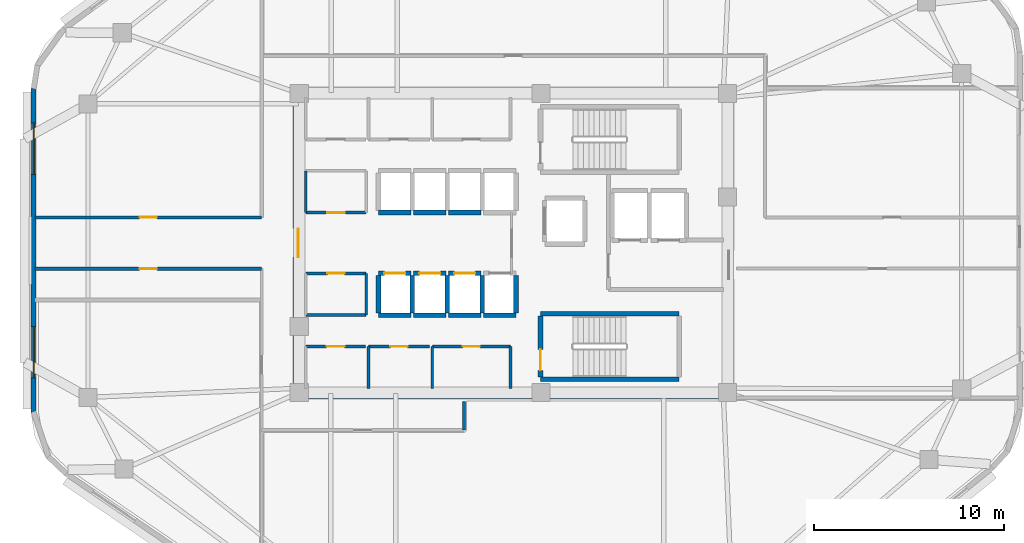
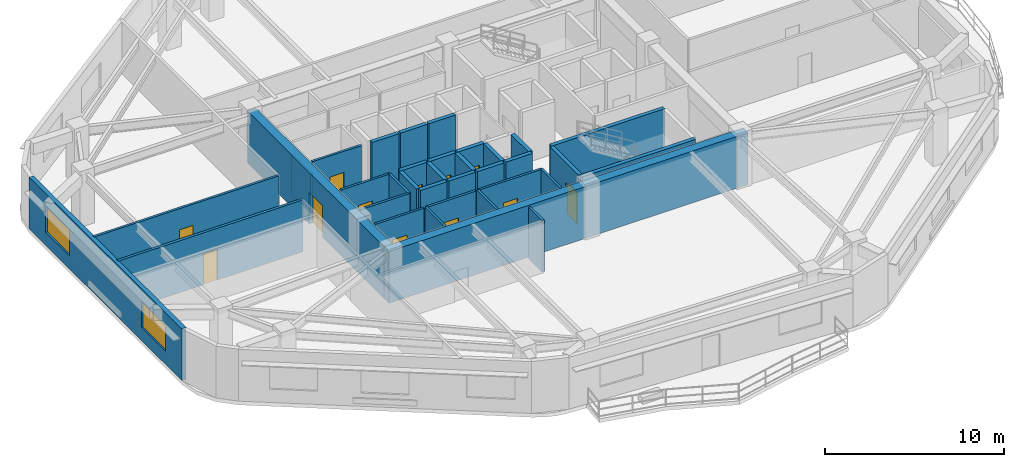
# One storey, part 3 of 8: 35 walls, 12 doors, 2 windows, 14 openings.
"""IFC4 building model written with IfcOpenShell, lengths in metres."""

from ifc_helpers import new_model, si_unit, direction, frame, frame_2d, origin, place, context, subcontext, project, spatial, rectangle, extrude, material, layer, layer_set, type_object, element, fill, save


model = new_model("IFC4")

# Units and contexts
model_context = context("Model", 3, precision=1e-05, world=origin(), true_north=direction((0.0, 1.0)))
body_context = subcontext(model_context, "Body", "Model", "MODEL_VIEW")
ifc_project = project(units=[si_unit("LENGTHUNIT", "METRE"), si_unit("AREAUNIT", "SQUARE_METRE"), si_unit("VOLUMEUNIT", "CUBIC_METRE"), si_unit("PLANEANGLEUNIT", "RADIAN"), si_unit("MASSUNIT", "GRAM", prefix="KILO")], contexts=[model_context])

# Site, building, storey
site_placement = place(None, origin())
site = spatial("IfcSite", under=ifc_project, at=site_placement, CompositionType="ELEMENT")
building_placement = place(site_placement, origin())
building = spatial("IfcBuilding", under=site, at=building_placement, Name="Zulverin Broadcast Headquarters", CompositionType="ELEMENT")
storey_placement = place(building_placement, frame((0.0, 0.0, 204.800048828125)))
storey = spatial("IfcBuildingStorey", under=building, at=storey_placement, Name="L52", CompositionType="ELEMENT", Elevation=204.800048828125)

# Wall
ifc_material_1 = material(Name="Concrete C60/75", Category="concrete")
ifc_layer_1 = layer(ifc_material_1, 0.550048828125, Name="Concrete C60/75", Category="concrete")
ifc_layer_set_1 = layer_set([ifc_layer_1], Name="Concrete C60/75")
wall_type_1 = type_object("IfcWallType", Name="WL-CORE-550", PredefinedType="SHEAR", material=ifc_layer_set_1)
wall_1_placement = place(storey_placement, frame((25.39990234375, 17.27490234375, 0.0), z_axis=(0.0, 0.0, 1.0), x_axis=(1.0, 0.0, 0.0)))
element("IfcWall", 1, at=wall_1_placement, inside=storey, type_object=wall_type_1, Name="L52 Core South Shear Wall", PredefinedType="SHEAR", context=body_context, shape_type="SweptSolid", body=[
    extrude(rectangle(XDim=23.2001953125, YDim=0.550048828125, at=frame_2d((11.60009765625, 0.0))), origin(), (0.0, 0.0, 1.0), 3.5400390625),
])

# Wall, opening, door
wall_2_placement = place(storey_placement, frame((25.675048828125, 17.550048828125, 0.0), z_axis=(0.0, 0.0, 1.0), x_axis=(0.0, 1.0, 0.0)))
wall_2 = element("IfcWall", 2, at=wall_2_placement, inside=storey, type_object=wall_type_1, Name="L52 Core West Shear Wall", PredefinedType="SHEAR", context=body_context, shape_type="SweptSolid", body=[
    extrude(rectangle(XDim=15.300048828125, YDim=0.550048828125, at=frame_2d((7.64990234375, 0.0))), origin(), (0.0, 0.0, 1.0), 3.5400390625),
])
opening_1_placement = place(wall_2_placement, frame((6.89990234375, 0.0, 0.0)))
opening_1 = element("IfcOpeningElement", 3, at=opening_1_placement, cuts=wall_2, Name="Opening D-L52-CW1", PredefinedType="OPENING", context=body_context, shape_type="SweptSolid", body=[
    extrude(rectangle(XDim=1.5, YDim=2.14990234375, at=frame_2d((0.75, 1.074951171875))), frame((0.0, 0.284912109375, 0.0), z_axis=(0.0, -1.0, 0.0), x_axis=(1.0, 0.0, 0.0)), (0.0, 0.0, 1.0), 0.570068359375),
])
ifc_material_2 = material(Name="Fire-rated glazed steel frame", Category="steel")
door_type_1 = type_object("IfcDoorType", Name="DR-COR-1500", OperationType="DOUBLE_DOOR_SINGLE_SWING", PredefinedType="DOOR", material=ifc_material_2)
door_1_placement = place(opening_1_placement, origin())
door_1 = element("IfcDoor", 4, at=door_1_placement, inside=storey, type_object=door_type_1, Name="L52 Central Lift Lobby West Portal Door", OperationType="DOUBLE_DOOR_SINGLE_SWING", OverallHeight=2.14990234375, OverallWidth=1.5, PredefinedType="DOOR", context=body_context, shape_type="SweptSolid", body=[
    extrude(rectangle(XDim=1.5, YDim=2.14990234375, at=frame_2d((0.75, 1.074951171875))), frame((0.0, 0.02490234375, 0.0), z_axis=(0.0, -1.0, 0.0), x_axis=(1.0, 0.0, 0.0)), (0.0, 0.0, 1.0), 0.050048828125),
])
fill(opening_1, door_1)

# Wall, openings, windows
ifc_material_3 = material(Name="Insulated pale-metal clad concrete spandrel C40/50", Category="concrete")
ifc_layer_2 = layer(ifc_material_3, 0.280029296875, Name="Insulated pale-metal clad concrete spandrel C40/50", Category="concrete")
ifc_layer_set_2 = layer_set([ifc_layer_2], Name="Insulated pale-metal clad concrete spandrel C40/50")
wall_type_2 = type_object("IfcWallType", Name="WL-EXT-280", PredefinedType="STANDARD", material=ifc_layer_set_2)
wall_3_placement = place(storey_placement, frame((11.739990234375, 33.34033203125, 0.0), z_axis=(0.0, 0.0, 1.0), x_axis=(0.0, -1.0, 0.0)))
wall_3 = element("IfcWall", 5, at=wall_3_placement, inside=storey, type_object=wall_type_2, Name="L52 Pale-Metal Clad Spandrel Wall 7", PredefinedType="STANDARD", context=body_context, shape_type="SweptSolid", body=[
    extrude(rectangle(XDim=17.07275390625, YDim=0.280029296875, at=frame_2d((8.536376953125, 0.0))), origin(), (0.0, 0.0, 1.0), 3.5400390625),
])
opening_2_placement = place(wall_3_placement, frame((1.828857421875, 0.0, 0.89990234375)))
opening_2 = element("IfcOpeningElement", 6, at=opening_2_placement, cuts=wall_3, Name="Opening W-L52-E71", PredefinedType="OPENING", context=body_context, shape_type="SweptSolid", body=[
    extrude(rectangle(XDim=2.699951171875, YDim=1.75, at=frame_2d((1.35009765625, 0.875))), frame((0.0, 0.14990234375, 0.0), z_axis=(0.0, -1.0, 0.0), x_axis=(1.0, 0.0, 0.0)), (0.0, 0.0, 1.0), 0.300048828125),
])
opening_3_placement = place(wall_3_placement, frame((12.5439453125, 0.0, 0.89990234375)))
opening_3 = element("IfcOpeningElement", 7, at=opening_3_placement, cuts=wall_3, Name="Opening W-L52-E72", PredefinedType="OPENING", context=body_context, shape_type="SweptSolid", body=[
    extrude(rectangle(XDim=2.699951171875, YDim=1.75, at=frame_2d((1.35009765625, 0.875))), frame((0.0, 0.14990234375, 0.0), z_axis=(0.0, -1.0, 0.0), x_axis=(1.0, 0.0, 0.0)), (0.0, 0.0, 1.0), 0.300048828125),
])
ifc_material_4 = material(Name="Pale anodized aluminium frame with solar-control low-E double glazing", Category="aluminium")
window_type = type_object("IfcWindowType", Name="WIN-TWR-2700", PartitioningType="SINGLE_PANEL", PredefinedType="WINDOW", material=ifc_material_4)
window_1_placement = place(opening_2_placement, origin())
window_1 = element("IfcWindow", 8, at=window_1_placement, inside=storey, type_object=window_type, Name="L52 Ribbon Glazing Window 7 1", OverallHeight=1.75, OverallWidth=2.699951171875, PartitioningType="SINGLE_PANEL", PredefinedType="WINDOW", context=body_context, shape_type="SweptSolid", body=[
    extrude(rectangle(XDim=2.699951171875, YDim=1.75, at=frame_2d((1.35009765625, 0.875))), frame((0.0, 0.030029296875, 0.0), z_axis=(0.0, -1.0, 0.0), x_axis=(1.0, 0.0, 0.0)), (0.0, 0.0, 1.0), 0.06005859375),
])
fill(opening_2, window_1)
window_2_placement = place(opening_3_placement, origin())
window_2 = element("IfcWindow", 9, at=window_2_placement, inside=storey, type_object=window_type, Name="L52 Ribbon Glazing Window 7 2", OverallHeight=1.75, OverallWidth=2.699951171875, PartitioningType="SINGLE_PANEL", PredefinedType="WINDOW", context=body_context, shape_type="SweptSolid", body=[
    extrude(rectangle(XDim=2.699951171875, YDim=1.75, at=frame_2d((1.35009765625, 0.875))), frame((0.0, 0.030029296875, 0.0), z_axis=(0.0, -1.0, 0.0), x_axis=(1.0, 0.0, 0.0)), (0.0, 0.0, 1.0), 0.06005859375),
])
fill(opening_3, window_2)

# Wall, opening, door
ifc_material_5 = material(Name="Fire-rated gypsum stud partition", Category="gypsum")
ifc_layer_3 = layer(ifc_material_5, 0.14990234375, Name="Fire-rated gypsum stud partition", Category="gypsum")
ifc_layer_set_3 = layer_set([ifc_layer_3], Name="Fire-rated gypsum stud partition")
wall_type_3 = type_object("IfcWallType", Name="WL-PART-150", PredefinedType="PARTITIONING", material=ifc_layer_set_3)
wall_4_placement = place(storey_placement, frame((26.070068359375, 19.75, 0.0), z_axis=(0.0, 0.0, 1.0), x_axis=(1.0, 0.0, 0.0)))
wall_4 = element("IfcWall", 10, at=wall_4_placement, inside=storey, type_object=wall_type_3, Name="L52 Core Female WC Front Wall", PredefinedType="PARTITIONING", context=body_context, shape_type="SweptSolid", body=[
    extrude(rectangle(XDim=3.14990234375, YDim=0.14990234375, at=frame_2d((1.574951171875, 0.0))), origin(), (0.0, 0.0, 1.0), 3.5400390625),
])
opening_4_placement = place(wall_4_placement, frame((1.10009765625, 0.0, 0.0)))
opening_4 = element("IfcOpeningElement", 11, at=opening_4_placement, cuts=wall_4, Name="Opening D-L52-SC1", PredefinedType="OPENING", context=body_context, shape_type="SweptSolid", body=[
    extrude(rectangle(XDim=0.949951171875, YDim=2.10009765625, at=frame_2d((0.47509765625, 1.050048828125))), frame((0.0, 0.0849609375, 0.0), z_axis=(0.0, -1.0, 0.0), x_axis=(1.0, 0.0, 0.0)), (0.0, 0.0, 1.0), 0.169921875),
])
ifc_material_6 = material(Name="Fire-rated moisture-resistant laminate leaf", Category="wood")
door_type_2 = type_object("IfcDoorType", Name="DR-WC-950", OperationType="SINGLE_SWING_LEFT", PredefinedType="DOOR", material=ifc_material_6)
door_2_placement = place(opening_4_placement, origin())
door_2 = element("IfcDoor", 12, at=door_2_placement, inside=storey, type_object=door_type_2, Name="L52 Female WC Door", OperationType="SINGLE_SWING_RIGHT", OverallHeight=2.10009765625, OverallWidth=0.949951171875, PredefinedType="DOOR", context=body_context, shape_type="SweptSolid", body=[
    extrude(rectangle(XDim=0.949951171875, YDim=2.10009765625, at=frame_2d((0.47509765625, 1.050048828125))), frame((0.0, 0.02490234375, 0.0), z_axis=(0.0, -1.0, 0.0), x_axis=(1.0, 0.0, 0.0)), (0.0, 0.0, 1.0), 0.050048828125),
])
fill(opening_4, door_2)

wall_5_placement = place(storey_placement, frame((29.3798828125, 19.75, 0.0), z_axis=(0.0, 0.0, 1.0), x_axis=(1.0, 0.0, 0.0)))
wall_5 = element("IfcWall", 13, at=wall_5_placement, inside=storey, type_object=wall_type_3, Name="L52 Core Cleaner Store Front Wall", PredefinedType="PARTITIONING", context=body_context, shape_type="SweptSolid", body=[
    extrude(rectangle(XDim=3.190185546875, YDim=0.14990234375, at=frame_2d((1.59521484375, 0.0))), origin(), (0.0, 0.0, 1.0), 3.5400390625),
])
opening_5_placement = place(wall_5_placement, frame((1.14501953125, 0.0, 0.0)))
opening_5 = element("IfcOpeningElement", 14, at=opening_5_placement, cuts=wall_5, Name="Opening D-L52-SC2", PredefinedType="OPENING", context=body_context, shape_type="SweptSolid", body=[
    extrude(rectangle(XDim=0.89990234375, YDim=2.10009765625, at=frame_2d((0.449951171875, 1.050048828125))), frame((0.0, 0.0849609375, 0.0), z_axis=(0.0, -1.0, 0.0), x_axis=(1.0, 0.0, 0.0)), (0.0, 0.0, 1.0), 0.169921875),
])
ifc_material_7 = material(Name="Powder-coated steel access leaf", Category="steel")
door_type_3 = type_object("IfcDoorType", Name="DR-RISER-900", OperationType="SINGLE_SWING_LEFT", PredefinedType="DOOR", material=ifc_material_7)
door_3_placement = place(opening_5_placement, origin())
door_3 = element("IfcDoor", 15, at=door_3_placement, inside=storey, type_object=door_type_3, Name="L52 Cleaner Store Door", OperationType="SINGLE_SWING_LEFT", OverallHeight=2.10009765625, OverallWidth=0.89990234375, PredefinedType="DOOR", context=body_context, shape_type="SweptSolid", body=[
    extrude(rectangle(XDim=0.89990234375, YDim=2.10009765625, at=frame_2d((0.449951171875, 1.050048828125))), frame((0.0, 0.02490234375, 0.0), z_axis=(0.0, -1.0, 0.0), x_axis=(1.0, 0.0, 0.0)), (0.0, 0.0, 1.0), 0.050048828125),
])
fill(opening_5, door_3)

# Wall
wall_6_placement = place(storey_placement, frame((29.3798828125, 17.550048828125, 0.0), z_axis=(0.0, 0.0, 1.0), x_axis=(0.0, 1.0, 0.0)))
element("IfcWall", 16, at=wall_6_placement, inside=storey, type_object=wall_type_3, Name="L52 Core Cleaner Store West Wall", PredefinedType="PARTITIONING", context=body_context, shape_type="SweptSolid", body=[
    extrude(rectangle(XDim=2.199951171875, YDim=0.14990234375, at=frame_2d((1.10009765625, 0.0))), origin(), (0.0, 0.0, 1.0), 3.5400390625),
])

# Wall, opening, door
wall_7_placement = place(storey_placement, frame((32.72998046875, 19.75, 0.0), z_axis=(0.0, 0.0, 1.0), x_axis=(1.0, 0.0, 0.0)))
wall_7 = element("IfcWall", 17, at=wall_7_placement, inside=storey, type_object=wall_type_3, Name="L52 Core Broadcast Fibre Riser Front Wall", PredefinedType="PARTITIONING", context=body_context, shape_type="SweptSolid", body=[
    extrude(rectangle(XDim=4.1201171875, YDim=0.14990234375, at=frame_2d((2.06005859375, 0.0))), origin(), (0.0, 0.0, 1.0), 3.5400390625),
])
opening_6_placement = place(wall_7_placement, frame((1.610107421875, 0.0, 0.0)))
opening_6 = element("IfcOpeningElement", 18, at=opening_6_placement, cuts=wall_7, Name="Opening D-L52-SC3", PredefinedType="OPENING", context=body_context, shape_type="SweptSolid", body=[
    extrude(rectangle(XDim=0.89990234375, YDim=2.10009765625, at=frame_2d((0.449951171875, 1.050048828125))), frame((0.0, 0.0849609375, 0.0), z_axis=(0.0, -1.0, 0.0), x_axis=(1.0, 0.0, 0.0)), (0.0, 0.0, 1.0), 0.169921875),
])
door_4_placement = place(opening_6_placement, origin())
door_4 = element("IfcDoor", 19, at=door_4_placement, inside=storey, type_object=door_type_3, Name="L52 Broadcast Fibre Riser Door", OperationType="SINGLE_SWING_RIGHT", OverallHeight=2.10009765625, OverallWidth=0.89990234375, PredefinedType="DOOR", context=body_context, shape_type="SweptSolid", body=[
    extrude(rectangle(XDim=0.89990234375, YDim=2.10009765625, at=frame_2d((0.449951171875, 1.050048828125))), frame((0.0, 0.02490234375, 0.0), z_axis=(0.0, -1.0, 0.0), x_axis=(1.0, 0.0, 0.0)), (0.0, 0.0, 1.0), 0.050048828125),
])
fill(opening_6, door_4)

# Walls
for number, where, z_axis, x_axis, name in (
    (20, (32.72998046875, 17.550048828125, 0.0), (0.0, 0.0, 1.0), (0.0, 1.0, 0.0), "L52 Core Broadcast Fibre Riser West Wall"),
    (21, (36.85009765625, 17.550048828125, 0.0), (0.0, 0.0, 1.0), (0.0, 1.0, 0.0), "L52 Core Broadcast Fibre Riser East Wall"),
):
    element("IfcWall", number, at=place(storey_placement, frame(where, z_axis=z_axis, x_axis=x_axis)), inside=storey, type_object=wall_type_3, Name=name, PredefinedType="PARTITIONING", context=body_context, shape_type="SweptSolid", body=[
        extrude(rectangle(XDim=2.199951171875, YDim=0.14990234375, at=frame_2d((1.10009765625, 0.0))), origin(), (0.0, 0.0, 1.0), 3.5400390625),
    ])

# Wall, opening, door
wall_8_placement = place(storey_placement, frame((26.070068359375, 26.800048828125, 0.0), z_axis=(0.0, 0.0, 1.0), x_axis=(1.0, 0.0, 0.0)))
wall_8 = element("IfcWall", 22, at=wall_8_placement, inside=storey, type_object=wall_type_3, Name="L52 Core UPS Battery Store S Wall", PredefinedType="PARTITIONING", context=body_context, shape_type="SweptSolid", body=[
    extrude(rectangle(XDim=3.179931640625, YDim=0.14990234375, at=frame_2d((1.58984375, 0.0))), origin(), (0.0, 0.0, 1.0), 3.5400390625),
])
opening_7_placement = place(wall_8_placement, frame((1.139892578125, 0.0, 0.0)))
opening_7 = element("IfcOpeningElement", 23, at=opening_7_placement, cuts=wall_8, Name="Opening D-L52-RCLN", PredefinedType="OPENING", context=body_context, shape_type="SweptSolid", body=[
    extrude(rectangle(XDim=0.89990234375, YDim=2.10009765625, at=frame_2d((0.449951171875, 1.050048828125))), frame((0.0, 0.0849609375, 0.0), z_axis=(0.0, -1.0, 0.0), x_axis=(1.0, 0.0, 0.0)), (0.0, 0.0, 1.0), 0.169921875),
])
door_5_placement = place(opening_7_placement, origin())
door_5 = element("IfcDoor", 24, at=door_5_placement, inside=storey, type_object=door_type_3, Name="L52 Core UPS Battery Store Door", OperationType="SINGLE_SWING_LEFT", OverallHeight=2.10009765625, OverallWidth=0.89990234375, PredefinedType="DOOR", context=body_context, shape_type="SweptSolid", body=[
    extrude(rectangle(XDim=0.89990234375, YDim=2.10009765625, at=frame_2d((0.449951171875, 1.050048828125))), frame((0.0, 0.02490234375, 0.0), z_axis=(0.0, -1.0, 0.0), x_axis=(1.0, 0.0, 0.0)), (0.0, 0.0, 1.0), 0.050048828125),
])
fill(opening_7, door_5)

# Walls
wall_9_placement = place(storey_placement, frame((26.070068359375, 26.800048828125, 0.0), z_axis=(0.0, 0.0, 1.0), x_axis=(0.0, 1.0, 0.0)))
element("IfcWall", 25, at=wall_9_placement, inside=storey, type_object=wall_type_3, Name="L52 Core UPS Battery Store W Wall", PredefinedType="PARTITIONING", context=body_context, shape_type="SweptSolid", body=[
    extrude(rectangle(XDim=2.199951171875, YDim=0.14990234375, at=frame_2d((1.10009765625, 0.0))), origin(), (0.0, 0.0, 1.0), 2.639892578125),
])
wall_10_placement = place(storey_placement, frame((26.070068359375, 21.39990234375, 0.0), z_axis=(0.0, 0.0, 1.0), x_axis=(1.0, 0.0, 0.0)))
element("IfcWall", 26, at=wall_10_placement, inside=storey, type_object=wall_type_3, Name="L52 Housekeeping Equipment Store S Wall", PredefinedType="PARTITIONING", context=body_context, shape_type="SweptSolid", body=[
    extrude(rectangle(XDim=3.179931640625, YDim=0.14990234375, at=frame_2d((1.58984375, 0.0))), origin(), (0.0, 0.0, 1.0), 3.5400390625),
])

# Wall, opening, door
wall_11_placement = place(storey_placement, frame((26.070068359375, 23.60009765625, 0.0), z_axis=(0.0, 0.0, 1.0), x_axis=(1.0, 0.0, 0.0)))
wall_11 = element("IfcWall", 27, at=wall_11_placement, inside=storey, type_object=wall_type_3, Name="L52 Housekeeping Equipment Store N Wall", PredefinedType="PARTITIONING", context=body_context, shape_type="SweptSolid", body=[
    extrude(rectangle(XDim=3.179931640625, YDim=0.14990234375, at=frame_2d((1.58984375, 0.0))), origin(), (0.0, 0.0, 1.0), 3.5400390625),
])
opening_8_placement = place(wall_11_placement, frame((1.139892578125, 0.0, 0.0)))
opening_8 = element("IfcOpeningElement", 28, at=opening_8_placement, cuts=wall_11, Name="Opening D-L52-RCLS", PredefinedType="OPENING", context=body_context, shape_type="SweptSolid", body=[
    extrude(rectangle(XDim=0.89990234375, YDim=2.10009765625, at=frame_2d((0.449951171875, 1.050048828125))), frame((0.0, 0.0849609375, 0.0), z_axis=(0.0, -1.0, 0.0), x_axis=(1.0, 0.0, 0.0)), (0.0, 0.0, 1.0), 0.169921875),
])
door_6_placement = place(opening_8_placement, origin())
door_6 = element("IfcDoor", 29, at=door_6_placement, inside=storey, type_object=door_type_3, Name="L52 Housekeeping Equipment Store Door", OperationType="SINGLE_SWING_RIGHT", OverallHeight=2.10009765625, OverallWidth=0.89990234375, PredefinedType="DOOR", context=body_context, shape_type="SweptSolid", body=[
    extrude(rectangle(XDim=0.89990234375, YDim=2.10009765625, at=frame_2d((0.449951171875, 1.050048828125))), frame((0.0, 0.02490234375, 0.0), z_axis=(0.0, -1.0, 0.0), x_axis=(1.0, 0.0, 0.0)), (0.0, 0.0, 1.0), 0.050048828125),
])
fill(opening_8, door_6)

# Walls
wall_12_placement = place(storey_placement, frame((29.25, 21.39990234375, 0.0), z_axis=(0.0, 0.0, 1.0), x_axis=(0.0, 1.0, 0.0)))
element("IfcWall", 30, at=wall_12_placement, inside=storey, type_object=wall_type_3, Name="L52 Housekeeping Equipment Store E Wall", PredefinedType="PARTITIONING", context=body_context, shape_type="SweptSolid", body=[
    extrude(rectangle(XDim=2.2001953125, YDim=0.14990234375, at=frame_2d((1.10009765625, 0.0))), origin(), (0.0, 0.0, 1.0), 3.5400390625),
])
wall_13_placement = place(storey_placement, frame((34.39990234375, 15.35009765625, 0.0), z_axis=(0.0, 0.0, 1.0), x_axis=(0.0, 1.0, 0.0)))
element("IfcWall", 31, at=wall_13_placement, inside=storey, type_object=wall_type_3, Name="L52 Gallery Partition Wall CG-02", PredefinedType="PARTITIONING", context=body_context, shape_type="SweptSolid", body=[
    extrude(rectangle(XDim=1.510009765625, YDim=0.14990234375, at=frame_2d((0.7548828125, 0.0))), origin(), (0.0, 0.0, 1.0), 3.5400390625),
])

# Wall, opening, door
wall_14_placement = place(storey_placement, frame((11.804931640625, 26.550048828125, 0.0), z_axis=(0.0, 0.0, 1.0), x_axis=(1.0, 0.0, 0.0)))
wall_14 = element("IfcWall", 32, at=wall_14_placement, inside=storey, type_object=wall_type_3, Name="L52 Gallery Partition Wall CG-10", PredefinedType="PARTITIONING", context=body_context, shape_type="SweptSolid", body=[
    extrude(rectangle(XDim=11.945068359375, YDim=0.14990234375, at=frame_2d((5.97265625, 0.0))), origin(), (0.0, 0.0, 1.0), 3.5400390625),
])
opening_9_placement = place(wall_14_placement, frame((5.5224609375, 0.0, 0.0)))
opening_9 = element("IfcOpeningElement", 33, at=opening_9_placement, cuts=wall_14, Name="Opening D-L52-05", PredefinedType="OPENING", context=body_context, shape_type="SweptSolid", body=[
    extrude(rectangle(XDim=0.89990234375, YDim=2.10009765625, at=frame_2d((0.449951171875, 1.050048828125))), frame((0.0, 0.0849609375, 0.0), z_axis=(0.0, -1.0, 0.0), x_axis=(1.0, 0.0, 0.0)), (0.0, 0.0, 1.0), 0.169921875),
])
ifc_material_8 = material(Name="Fire-rated hardwood veneer timber leaf", Category="wood")
door_type_4 = type_object("IfcDoorType", Name="DR-ROOM-900", OperationType="SINGLE_SWING_RIGHT", PredefinedType="DOOR", material=ifc_material_8)
door_7_placement = place(opening_9_placement, origin())
door_7 = element("IfcDoor", 34, at=door_7_placement, inside=storey, type_object=door_type_4, Name="L52 24-Hour Broadcast Dining Canteen Door", OperationType="SINGLE_SWING_RIGHT", OverallHeight=2.10009765625, OverallWidth=0.89990234375, PredefinedType="DOOR", context=body_context, shape_type="SweptSolid", body=[
    extrude(rectangle(XDim=0.89990234375, YDim=2.10009765625, at=frame_2d((0.449951171875, 1.050048828125))), frame((0.0, 0.02490234375, 0.0), z_axis=(0.0, -1.0, 0.0), x_axis=(1.0, 0.0, 0.0)), (0.0, 0.0, 1.0), 0.050048828125),
])
fill(opening_9, door_7)

ifc_material_9 = material(Name="Fire-rated acoustic stud wall", Category="gypsum")
ifc_layer_4 = layer(ifc_material_9, 0.175048828125, Name="Fire-rated acoustic stud wall", Category="gypsum")
ifc_layer_set_4 = layer_set([ifc_layer_4], Name="Fire-rated acoustic stud wall")
wall_type_4 = type_object("IfcWallType", Name="WL-PART-175", PredefinedType="PARTITIONING", material=ifc_layer_set_4)
wall_15_placement = place(storey_placement, frame((11.804931640625, 23.85009765625, 0.0), z_axis=(0.0, 0.0, 1.0), x_axis=(1.0, 0.0, 0.0)))
wall_15 = element("IfcWall", 35, at=wall_15_placement, inside=storey, type_object=wall_type_4, Name="L52 Gallery Partition Wall CG-08", PredefinedType="PARTITIONING", context=body_context, shape_type="SweptSolid", body=[
    extrude(rectangle(XDim=11.945068359375, YDim=0.175048828125, at=frame_2d((5.97265625, 0.0))), origin(), (0.0, 0.0, 1.0), 3.5400390625),
])
opening_10_placement = place(wall_15_placement, frame((5.5224609375, 0.0, 0.0)))
opening_10 = element("IfcOpeningElement", 36, at=opening_10_placement, cuts=wall_15, Name="Opening D-L52-04", PredefinedType="OPENING", context=body_context, shape_type="SweptSolid", body=[
    extrude(rectangle(XDim=0.89990234375, YDim=2.10009765625, at=frame_2d((0.449951171875, 1.050048828125))), frame((0.0, 0.097412109375, 0.0), z_axis=(0.0, -1.0, 0.0), x_axis=(1.0, 0.0, 0.0)), (0.0, 0.0, 1.0), 0.195068359375),
])
door_8_placement = place(opening_10_placement, origin())
door_8 = element("IfcDoor", 37, at=door_8_placement, inside=storey, type_object=door_type_4, Name="L52 Media Heritage Exhibition Hall Door", OperationType="SINGLE_SWING_LEFT", OverallHeight=2.10009765625, OverallWidth=0.89990234375, PredefinedType="DOOR", context=body_context, shape_type="SweptSolid", body=[
    extrude(rectangle(XDim=0.89990234375, YDim=2.10009765625, at=frame_2d((0.449951171875, 1.050048828125))), frame((0.0, 0.02490234375, 0.0), z_axis=(0.0, -1.0, 0.0), x_axis=(1.0, 0.0, 0.0)), (0.0, 0.0, 1.0), 0.050048828125),
])
fill(opening_10, door_8)

# Walls
ifc_material_10 = material(Name="Concrete C50/60", Category="concrete")
ifc_layer_5 = layer(ifc_material_10, 0.25, Name="Concrete C50/60", Category="concrete")
ifc_layer_set_5 = layer_set([ifc_layer_5], Name="Concrete C50/60")
wall_type_5 = type_object("IfcWallType", Name="WL-SHAFT-250", PredefinedType="SHEAR", material=ifc_layer_set_5)
for number, where, z_axis, x_axis, name in (
    (38, (38.425048828125, 18.02490234375, 0.0), (0.0, 0.0, 1.0), (1.0, 0.0, 0.0), "L52 ST-2 Enclosure Wall S"),
    (39, (38.425048828125, 21.47509765625, 0.0), (0.0, 0.0, 1.0), (1.0, 0.0, 0.0), "L52 ST-2 Enclosure Wall N"),
):
    element("IfcWall", number, at=place(storey_placement, frame(where, z_axis=z_axis, x_axis=x_axis)), inside=storey, type_object=wall_type_5, Name=name, PredefinedType="SHEAR", context=body_context, shape_type="SweptSolid", body=[
        extrude(rectangle(XDim=7.300048828125, YDim=0.25, at=frame_2d((3.64990234375, 0.0))), origin(), (0.0, 0.0, 1.0), 3.5400390625),
    ])

# Wall, opening, door
wall_16_placement = place(storey_placement, frame((38.425048828125, 18.14990234375, 0.0), z_axis=(0.0, 0.0, 1.0), x_axis=(0.0, 1.0, 0.0)))
wall_16 = element("IfcWall", 40, at=wall_16_placement, inside=storey, type_object=wall_type_5, Name="L52 ST-2 Enclosure Wall W", PredefinedType="SHEAR", context=body_context, shape_type="SweptSolid", body=[
    extrude(rectangle(XDim=3.2001953125, YDim=0.25, at=frame_2d((1.60009765625, 0.0))), origin(), (0.0, 0.0, 1.0), 3.5400390625),
])
opening_11_placement = place(wall_16_placement, frame((0.35009765625, 0.0, 0.0)))
opening_11 = element("IfcOpeningElement", 41, at=opening_11_placement, cuts=wall_16, Name="Opening D-L52-ST-2", PredefinedType="OPENING", context=body_context, shape_type="SweptSolid", body=[
    extrude(rectangle(XDim=1.10009765625, YDim=2.14990234375, at=frame_2d((0.550048828125, 1.074951171875))), frame((0.0, 0.135009765625, 0.0), z_axis=(0.0, -1.0, 0.0), x_axis=(1.0, 0.0, 0.0)), (0.0, 0.0, 1.0), 0.27001953125),
])
ifc_material_11 = material(Name="Fire-rated steel leaf and frame", Category="steel")
door_type_5 = type_object("IfcDoorType", Name="DR-STAIR-1100", OperationType="SINGLE_SWING_LEFT", PredefinedType="DOOR", material=ifc_material_11)
door_9_placement = place(opening_11_placement, origin())
door_9 = element("IfcDoor", 42, at=door_9_placement, inside=storey, type_object=door_type_5, Name="L52 Exit Stair ST-2 Fire Door", OperationType="SINGLE_SWING_RIGHT", OverallHeight=2.14990234375, OverallWidth=1.10009765625, PredefinedType="DOOR", context=body_context, shape_type="SweptSolid", body=[
    extrude(rectangle(XDim=1.10009765625, YDim=2.14990234375, at=frame_2d((0.550048828125, 1.074951171875))), frame((0.0, 0.02490234375, 0.0), z_axis=(0.0, -1.0, 0.0), x_axis=(1.0, 0.0, 0.0)), (0.0, 0.0, 1.0), 0.050048828125),
])
fill(opening_11, door_9)

# Wall
wall_17_placement = place(storey_placement, frame((29.89990234375, 21.39990234375, 0.0), z_axis=(0.0, 0.0, 1.0), x_axis=(1.0, 0.0, 0.0)))
element("IfcWall", 43, at=wall_17_placement, inside=storey, type_object=wall_type_5, Name="L52 Lift PL-M1 Shaft Wall S", PredefinedType="SHEAR", context=body_context, shape_type="SweptSolid", body=[
    extrude(rectangle(XDim=1.72021484375, YDim=0.25, at=frame_2d((0.860107421875, 0.0))), origin(), (0.0, 0.0, 1.0), 3.5400390625),
])

# Wall, opening, door
wall_18_placement = place(storey_placement, frame((29.89990234375, 23.60009765625, 0.0), z_axis=(0.0, 0.0, 1.0), x_axis=(1.0, 0.0, 0.0)))
wall_18 = element("IfcWall", 44, at=wall_18_placement, inside=storey, type_object=wall_type_5, Name="L52 Lift PL-M1 Shaft Wall N", PredefinedType="SHEAR", context=body_context, shape_type="SweptSolid", body=[
    extrude(rectangle(XDim=1.72021484375, YDim=0.25, at=frame_2d((0.860107421875, 0.0))), origin(), (0.0, 0.0, 1.0), 3.5400390625),
])
opening_12_placement = place(wall_18_placement, frame((0.31005859375, 0.0, 0.0)))
opening_12 = element("IfcOpeningElement", 45, at=opening_12_placement, cuts=wall_18, Name="Opening LD-PL-M1-L52", PredefinedType="OPENING", context=body_context, shape_type="SweptSolid", body=[
    extrude(rectangle(XDim=1.10009765625, YDim=2.14990234375, at=frame_2d((0.550048828125, 1.074951171875))), frame((0.0, 0.135009765625, 0.0), z_axis=(0.0, -1.0, 0.0), x_axis=(1.0, 0.0, 0.0)), (0.0, 0.0, 1.0), 0.27001953125),
])
ifc_material_12 = material(Name="Brushed stainless steel landing", Category="steel")
door_type_6 = type_object("IfcDoorType", Name="LD-PASS-1100", OperationType="DOUBLE_DOOR_SLIDING", PredefinedType="DOOR", material=ifc_material_12)
door_10_placement = place(opening_12_placement, origin())
door_10 = element("IfcDoor", 46, at=door_10_placement, inside=storey, type_object=door_type_6, Name="L52 Lift PL-M1 Sliding Landing Door", OperationType="DOUBLE_DOOR_SLIDING", OverallHeight=2.14990234375, OverallWidth=1.10009765625, PredefinedType="DOOR", context=body_context, shape_type="SweptSolid", body=[
    extrude(rectangle(XDim=1.10009765625, YDim=2.14990234375, at=frame_2d((0.550048828125, 1.074951171875))), frame((0.0, 0.02490234375, 0.0), z_axis=(0.0, -1.0, 0.0), x_axis=(1.0, 0.0, 0.0)), (0.0, 0.0, 1.0), 0.050048828125),
])
fill(opening_12, door_10)

# Walls
for number, where, z_axis, x_axis, name in (
    (47, (29.89990234375, 21.52001953125, 0.0), (0.0, 0.0, 1.0), (0.0, 1.0, 0.0), "L52 Lift PL-M1 Shaft Wall W"),
    (48, (31.679931640625, 21.52001953125, 0.0), (0.0, 0.0, 1.0), (0.0, 1.0, 0.0), "L52 Lift PL-M1 Shaft Wall E"),
):
    element("IfcWall", number, at=place(storey_placement, frame(where, z_axis=z_axis, x_axis=x_axis)), inside=storey, type_object=wall_type_5, Name=name, PredefinedType="SHEAR", context=body_context, shape_type="SweptSolid", body=[
        extrude(rectangle(XDim=1.9599609375, YDim=0.25, at=frame_2d((0.97998046875, 0.0))), origin(), (0.0, 0.0, 1.0), 3.5400390625),
    ])
wall_19_placement = place(storey_placement, frame((31.739990234375, 21.39990234375, 0.0), z_axis=(0.0, 0.0, 1.0), x_axis=(1.0, 0.0, 0.0)))
element("IfcWall", 49, at=wall_19_placement, inside=storey, type_object=wall_type_5, Name="L52 Lift PL-M2 Shaft Wall S", PredefinedType="SHEAR", context=body_context, shape_type="SweptSolid", body=[
    extrude(rectangle(XDim=1.719970703125, YDim=0.25, at=frame_2d((0.85986328125, 0.0))), origin(), (0.0, 0.0, 1.0), 3.5400390625),
])

# Wall, opening, door
wall_20_placement = place(storey_placement, frame((31.739990234375, 23.60009765625, 0.0), z_axis=(0.0, 0.0, 1.0), x_axis=(1.0, 0.0, 0.0)))
wall_20 = element("IfcWall", 50, at=wall_20_placement, inside=storey, type_object=wall_type_5, Name="L52 Lift PL-M2 Shaft Wall N", PredefinedType="SHEAR", context=body_context, shape_type="SweptSolid", body=[
    extrude(rectangle(XDim=1.719970703125, YDim=0.25, at=frame_2d((0.85986328125, 0.0))), origin(), (0.0, 0.0, 1.0), 3.5400390625),
])
opening_13_placement = place(wall_20_placement, frame((0.31005859375, 0.0, 0.0)))
opening_13 = element("IfcOpeningElement", 51, at=opening_13_placement, cuts=wall_20, Name="Opening LD-PL-M2-L52", PredefinedType="OPENING", context=body_context, shape_type="SweptSolid", body=[
    extrude(rectangle(XDim=1.10009765625, YDim=2.14990234375, at=frame_2d((0.550048828125, 1.074951171875))), frame((0.0, 0.135009765625, 0.0), z_axis=(0.0, -1.0, 0.0), x_axis=(1.0, 0.0, 0.0)), (0.0, 0.0, 1.0), 0.27001953125),
])
door_11_placement = place(opening_13_placement, origin())
door_11 = element("IfcDoor", 52, at=door_11_placement, inside=storey, type_object=door_type_6, Name="L52 Lift PL-M2 Sliding Landing Door", OperationType="DOUBLE_DOOR_SLIDING", OverallHeight=2.14990234375, OverallWidth=1.10009765625, PredefinedType="DOOR", context=body_context, shape_type="SweptSolid", body=[
    extrude(rectangle(XDim=1.10009765625, YDim=2.14990234375, at=frame_2d((0.550048828125, 1.074951171875))), frame((0.0, 0.02490234375, 0.0), z_axis=(0.0, -1.0, 0.0), x_axis=(1.0, 0.0, 0.0)), (0.0, 0.0, 1.0), 0.050048828125),
])
fill(opening_13, door_11)

# Walls
wall_21_placement = place(storey_placement, frame((33.52001953125, 21.52001953125, 0.0), z_axis=(0.0, 0.0, 1.0), x_axis=(0.0, 1.0, 0.0)))
element("IfcWall", 53, at=wall_21_placement, inside=storey, type_object=wall_type_5, Name="L52 Lift PL-M2 Shaft Wall E", PredefinedType="SHEAR", context=body_context, shape_type="SweptSolid", body=[
    extrude(rectangle(XDim=1.9599609375, YDim=0.25, at=frame_2d((0.97998046875, 0.0))), origin(), (0.0, 0.0, 1.0), 3.5400390625),
])
wall_22_placement = place(storey_placement, frame((33.580078125, 21.39990234375, 0.0), z_axis=(0.0, 0.0, 1.0), x_axis=(1.0, 0.0, 0.0)))
element("IfcWall", 54, at=wall_22_placement, inside=storey, type_object=wall_type_5, Name="L52 Lift PL-M3 Shaft Wall S", PredefinedType="SHEAR", context=body_context, shape_type="SweptSolid", body=[
    extrude(rectangle(XDim=1.719970703125, YDim=0.25, at=frame_2d((0.85986328125, 0.0))), origin(), (0.0, 0.0, 1.0), 3.5400390625),
])

# Wall, opening, door
wall_23_placement = place(storey_placement, frame((33.580078125, 23.60009765625, 0.0), z_axis=(0.0, 0.0, 1.0), x_axis=(1.0, 0.0, 0.0)))
wall_23 = element("IfcWall", 55, at=wall_23_placement, inside=storey, type_object=wall_type_5, Name="L52 Lift PL-M3 Shaft Wall N", PredefinedType="SHEAR", context=body_context, shape_type="SweptSolid", body=[
    extrude(rectangle(XDim=1.719970703125, YDim=0.25, at=frame_2d((0.85986328125, 0.0))), origin(), (0.0, 0.0, 1.0), 3.5400390625),
])
opening_14_placement = place(wall_23_placement, frame((0.31005859375, 0.0, 0.0)))
opening_14 = element("IfcOpeningElement", 56, at=opening_14_placement, cuts=wall_23, Name="Opening LD-PL-M3-L52", PredefinedType="OPENING", context=body_context, shape_type="SweptSolid", body=[
    extrude(rectangle(XDim=1.10009765625, YDim=2.14990234375, at=frame_2d((0.550048828125, 1.074951171875))), frame((0.0, 0.135009765625, 0.0), z_axis=(0.0, -1.0, 0.0), x_axis=(1.0, 0.0, 0.0)), (0.0, 0.0, 1.0), 0.27001953125),
])
door_12_placement = place(opening_14_placement, origin())
door_12 = element("IfcDoor", 57, at=door_12_placement, inside=storey, type_object=door_type_6, Name="L52 Lift PL-M3 Sliding Landing Door", OperationType="DOUBLE_DOOR_SLIDING", OverallHeight=2.14990234375, OverallWidth=1.10009765625, PredefinedType="DOOR", context=body_context, shape_type="SweptSolid", body=[
    extrude(rectangle(XDim=1.10009765625, YDim=2.14990234375, at=frame_2d((0.550048828125, 1.074951171875))), frame((0.0, 0.02490234375, 0.0), z_axis=(0.0, -1.0, 0.0), x_axis=(1.0, 0.0, 0.0)), (0.0, 0.0, 1.0), 0.050048828125),
])
fill(opening_14, door_12)

# Walls
wall_24_placement = place(storey_placement, frame((35.360107421875, 21.52001953125, 0.0), z_axis=(0.0, 0.0, 1.0), x_axis=(0.0, 1.0, 0.0)))
element("IfcWall", 58, at=wall_24_placement, inside=storey, type_object=wall_type_5, Name="L52 Lift PL-M3 Shaft Wall E", PredefinedType="SHEAR", context=body_context, shape_type="SweptSolid", body=[
    extrude(rectangle(XDim=1.9599609375, YDim=0.25, at=frame_2d((0.97998046875, 0.0))), origin(), (0.0, 0.0, 1.0), 3.5400390625),
])
wall_25_placement = place(storey_placement, frame((35.419921875, 21.39990234375, 0.0), z_axis=(0.0, 0.0, 1.0), x_axis=(1.0, 0.0, 0.0)))
element("IfcWall", 59, at=wall_25_placement, inside=storey, type_object=wall_type_5, Name="L52 Lift PL-M4 Shaft Wall S", PredefinedType="SHEAR", context=body_context, shape_type="SweptSolid", body=[
    extrude(rectangle(XDim=1.719970703125, YDim=0.25, at=frame_2d((0.85986328125, 0.0))), origin(), (0.0, 0.0, 1.0), 3.5400390625),
])
wall_26_placement = place(storey_placement, frame((37.139892578125, 21.52001953125, 0.0), z_axis=(0.0, 0.0, 1.0), x_axis=(0.0, 1.0, 0.0)))
element("IfcWall", 60, at=wall_26_placement, inside=storey, type_object=wall_type_5, Name="L52 Lift PL-M4 Shaft Wall E", PredefinedType="SHEAR", context=body_context, shape_type="SweptSolid", body=[
    extrude(rectangle(XDim=1.9599609375, YDim=0.25, at=frame_2d((0.97998046875, 0.0))), origin(), (0.0, 0.0, 1.0), 3.5400390625),
])
wall_27_placement = place(storey_placement, frame((29.89990234375, 26.800048828125, 0.0), z_axis=(0.0, 0.0, 1.0), x_axis=(1.0, 0.0, 0.0)))
element("IfcWall", 61, at=wall_27_placement, inside=storey, type_object=wall_type_5, Name="L52 Lift PL-H1 Shaft Wall S", PredefinedType="SHEAR", context=body_context, shape_type="SweptSolid", body=[
    extrude(rectangle(XDim=1.72021484375, YDim=0.25, at=frame_2d((0.860107421875, 0.0))), origin(), (0.0, 0.0, 1.0), 3.5400390625),
])
for number, where, z_axis, x_axis, name in (
    (62, (31.739990234375, 26.800048828125, 0.0), (0.0, 0.0, 1.0), (1.0, 0.0, 0.0), "L52 Lift PL-H2 Shaft Wall S"),
    (63, (33.580078125, 26.800048828125, 0.0), (0.0, 0.0, 1.0), (1.0, 0.0, 0.0), "L52 Lift PL-H3 Shaft Wall S"),
):
    element("IfcWall", number, at=place(storey_placement, frame(where, z_axis=z_axis, x_axis=x_axis)), inside=storey, type_object=wall_type_5, Name=name, PredefinedType="SHEAR", context=body_context, shape_type="SweptSolid", body=[
        extrude(rectangle(XDim=1.719970703125, YDim=0.25, at=frame_2d((0.85986328125, 0.0))), origin(), (0.0, 0.0, 1.0), 3.5400390625),
    ])

save(model, "model.ifc")
